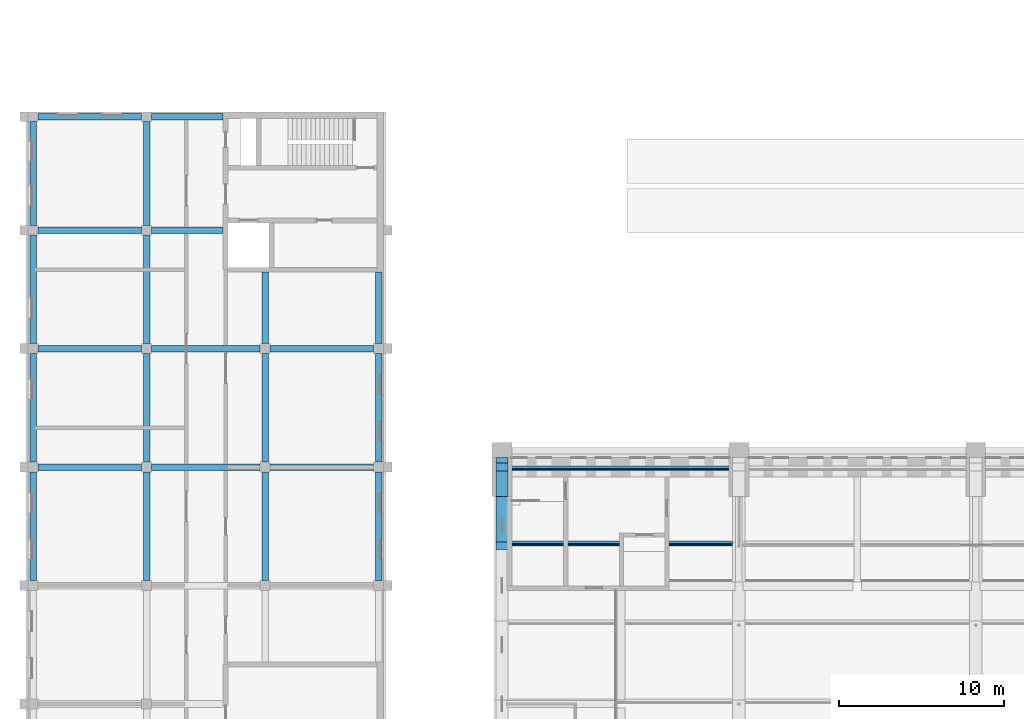
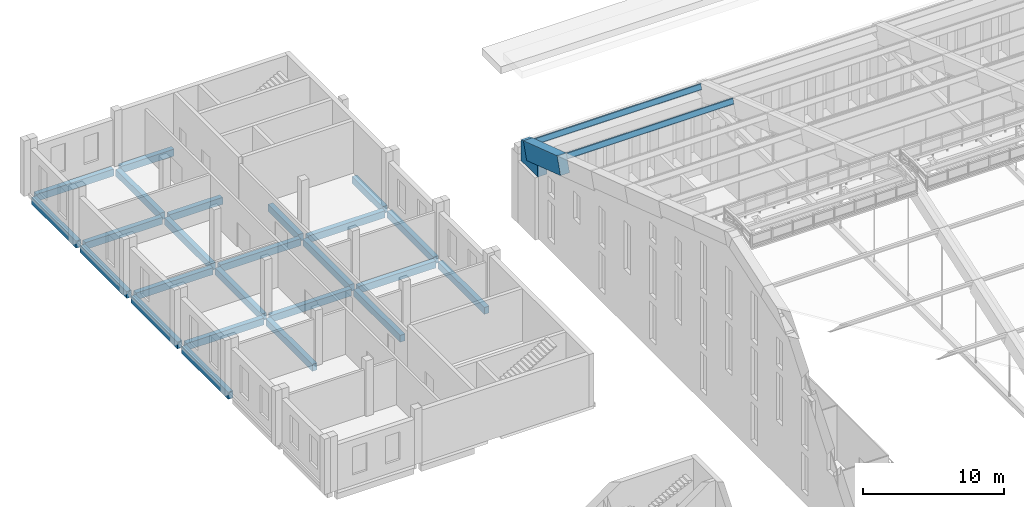
# One storey, part 47 of 149: 25 beams, 3 members.
"""IFC4 building model written with IfcOpenShell, lengths in metres."""

from ifc_helpers import new_model, si_unit, direction, frame, origin, origin_2d, place, context, subcontext, project, spatial, polyline, rectangle, i_section, outline, extrude, material, material_profile, profile_set, type_object, element, save


model = new_model("IFC4")

# Units and contexts
model_context = context("Model", 3, precision=1e-05, world=origin(), true_north=direction((0.0, 1.0)))
body_context = subcontext(model_context, "Body", "Model", "MODEL_VIEW")
ifc_project = project(units=[si_unit("LENGTHUNIT", "METRE"), si_unit("AREAUNIT", "SQUARE_METRE"), si_unit("VOLUMEUNIT", "CUBIC_METRE"), si_unit("PLANEANGLEUNIT", "RADIAN"), si_unit("MASSUNIT", "GRAM", prefix="KILO")], contexts=[model_context])

# Site, building, storey
site_placement = place(None, origin())
site = spatial("IfcSite", under=ifc_project, at=site_placement, CompositionType="ELEMENT")
building_placement = place(site_placement, origin())
building = spatial("IfcBuilding", under=site, at=building_placement, Name="Alderwick Market Hall", CompositionType="ELEMENT")
storey_placement = place(building_placement, frame((0.0, 0.0, 9.60009765625)))
storey = spatial("IfcBuildingStorey", under=building, at=storey_placement, Name="L01", CompositionType="ELEMENT", Elevation=9.60009765625)

# Beams
ifc_material_1 = material(Name="Concrete 5000 psi (f'c 35 MPa)", Category="concrete")
ifc_material_profile_1 = material_profile(ifc_material_1, rectangle(XDim=0.39990234375, YDim=0.60009765625, at=origin_2d()), Name="B RC Beam 400x600")
ifc_profile_set_1 = profile_set([ifc_material_profile_1], Name="Concrete 5000 psi (f'c 35 MPa)")
beam_type_1 = type_object("IfcBeamType", Name="B RC Beam 400x600", PredefinedType="BEAM", material=ifc_profile_set_1)
beam_1_placement = place(storey_placement, frame((22.199951171875, 129.300048828125, -0.550048828125), z_axis=(1.0, 0.0, 0.0), x_axis=(0.0, 1.0, 0.0)))
element("IfcBeam", 1, at=beam_1_placement, inside=storey, type_object=beam_type_1, Name="B.N.beam.L01.u003-0006", PredefinedType="BEAM", context=body_context, shape_type="SweptSolid", body=[
    extrude(rectangle(XDim=0.39990234375, YDim=0.60009765625, at=origin_2d()), origin(), (0.0, 0.0, 1.0), 6.300048828125),
])
beam_2_placement = place(storey_placement, frame((29.10009765625, 129.300048828125, -0.550048828125), z_axis=(1.0, 0.0, 0.0), x_axis=(0.0, 1.0, 0.0)))
element("IfcBeam", 2, at=beam_2_placement, inside=storey, type_object=beam_type_1, Name="B.N.beam.L01.u003-0075", PredefinedType="BEAM", context=body_context, shape_type="SweptSolid", body=[
    extrude(rectangle(XDim=0.39990234375, YDim=0.60009765625, at=origin_2d()), origin(), (0.0, 0.0, 1.0), 4.349853515625),
])
beam_3_placement = place(storey_placement, frame((22.199951171875, 122.39990234375, -0.550048828125), z_axis=(1.0, 0.0, 0.0), x_axis=(0.0, 1.0, 0.0)))
element("IfcBeam", 3, at=beam_3_placement, inside=storey, type_object=beam_type_1, Name="B.N.beam.L01.u072-0006", PredefinedType="BEAM", context=body_context, shape_type="SweptSolid", body=[
    extrude(rectangle(XDim=0.39990234375, YDim=0.60009765625, at=origin_2d()), origin(), (0.0, 0.0, 1.0), 6.300048828125),
])
beam_4_placement = place(storey_placement, frame((29.10009765625, 122.39990234375, -0.550048828125), z_axis=(1.0, 0.0, 0.0), x_axis=(0.0, 1.0, 0.0)))
element("IfcBeam", 4, at=beam_4_placement, inside=storey, type_object=beam_type_1, Name="B.N.beam.L01.u072-0075", PredefinedType="BEAM", context=body_context, shape_type="SweptSolid", body=[
    extrude(rectangle(XDim=0.39990234375, YDim=0.60009765625, at=origin_2d()), origin(), (0.0, 0.0, 1.0), 4.349853515625),
])
beam_5_placement = place(storey_placement, frame((22.199951171875, 115.199951171875, -0.550048828125), z_axis=(1.0, 0.0, 0.0), x_axis=(0.0, 1.0, 0.0)))
element("IfcBeam", 5, at=beam_5_placement, inside=storey, type_object=beam_type_1, Name="B.N.beam.L01.u144-0006", PredefinedType="BEAM", context=body_context, shape_type="SweptSolid", body=[
    extrude(rectangle(XDim=0.39990234375, YDim=0.60009765625, at=origin_2d()), origin(), (0.0, 0.0, 1.0), 6.300048828125),
])
beam_6_placement = place(storey_placement, frame((29.10009765625, 115.199951171875, -0.550048828125), z_axis=(1.0, 0.0, 0.0), x_axis=(0.0, 1.0, 0.0)))
element("IfcBeam", 6, at=beam_6_placement, inside=storey, type_object=beam_type_1, Name="B.N.beam.L01.u144-0075", PredefinedType="BEAM", context=body_context, shape_type="SweptSolid", body=[
    extrude(rectangle(XDim=0.39990234375, YDim=0.60009765625, at=origin_2d()), origin(), (0.0, 0.0, 1.0), 6.599853515625),
])
for number, where, z_axis, x_axis, name in (
    (7, (36.300048828125, 115.199951171875, -0.550048828125), (1.0, 0.0, 0.0), (0.0, 1.0, 0.0), "B.N.beam.L01.u144-0147"),
    (8, (22.199951171875, 108.0, -0.550048828125), (1.0, 0.0, 0.0), (0.0, 1.0, 0.0), "B.N.beam.L01.u216-0006"),
):
    element("IfcBeam", number, at=place(storey_placement, frame(where, z_axis=z_axis, x_axis=x_axis)), inside=storey, type_object=beam_type_1, Name=name, PredefinedType="BEAM", context=body_context, shape_type="SweptSolid", body=[
        extrude(rectangle(XDim=0.39990234375, YDim=0.60009765625, at=origin_2d()), origin(), (0.0, 0.0, 1.0), 6.300048828125),
    ])
beam_7_placement = place(storey_placement, frame((29.10009765625, 108.0, -0.550048828125), z_axis=(1.0, 0.0, 0.0), x_axis=(0.0, 1.0, 0.0)))
element("IfcBeam", 9, at=beam_7_placement, inside=storey, type_object=beam_type_1, Name="B.N.beam.L01.u216-0075", PredefinedType="BEAM", context=body_context, shape_type="SweptSolid", body=[
    extrude(rectangle(XDim=0.39990234375, YDim=0.60009765625, at=origin_2d()), origin(), (0.0, 0.0, 1.0), 6.599853515625),
])
for number, where, z_axis, x_axis, name in (
    (10, (36.300048828125, 108.0, -0.550048828125), (1.0, 0.0, 0.0), (0.0, 1.0, 0.0), "B.N.beam.L01.u216-0147"),
    (11, (21.89990234375, 129.0, -0.550048828125), (0.0, -1.0, 0.0), (1.0, 0.0, 0.0), "B.N.beam.L01.w003-0006"),
):
    element("IfcBeam", number, at=place(storey_placement, frame(where, z_axis=z_axis, x_axis=x_axis)), inside=storey, type_object=beam_type_1, Name=name, PredefinedType="BEAM", context=body_context, shape_type="SweptSolid", body=[
        extrude(rectangle(XDim=0.39990234375, YDim=0.60009765625, at=origin_2d()), origin(), (0.0, 0.0, 1.0), 6.300048828125),
    ])
beam_8_placement = place(storey_placement, frame((21.89990234375, 122.10009765625, -0.550048828125), z_axis=(0.0, -1.0, 0.0), x_axis=(1.0, 0.0, 0.0)))
element("IfcBeam", 12, at=beam_8_placement, inside=storey, type_object=beam_type_1, Name="B.N.beam.L01.w003-0075", PredefinedType="BEAM", context=body_context, shape_type="SweptSolid", body=[
    extrude(rectangle(XDim=0.39990234375, YDim=0.60009765625, at=origin_2d()), origin(), (0.0, 0.0, 1.0), 6.60009765625),
])
for number, where, z_axis, x_axis, name in (
    (13, (21.89990234375, 114.89990234375, -0.550048828125), (0.0, -1.0, 0.0), (1.0, 0.0, 0.0), "B.N.beam.L01.w003-0147"),
    (14, (21.89990234375, 107.699951171875, -0.550048828125), (0.0, -1.0, 0.0), (1.0, 0.0, 0.0), "B.N.beam.L01.w003-0219"),
):
    element("IfcBeam", number, at=place(storey_placement, frame(where, z_axis=z_axis, x_axis=x_axis)), inside=storey, type_object=beam_type_1, Name=name, PredefinedType="BEAM", context=body_context, shape_type="SweptSolid", body=[
        extrude(rectangle(XDim=0.39990234375, YDim=0.60009765625, at=origin_2d()), origin(), (0.0, 0.0, 1.0), 6.599853515625),
    ])
beam_9_placement = place(storey_placement, frame((28.800048828125, 129.0, -0.550048828125), z_axis=(0.0, -1.0, 0.0), x_axis=(1.0, 0.0, 0.0)))
element("IfcBeam", 15, at=beam_9_placement, inside=storey, type_object=beam_type_1, Name="B.N.beam.L01.w072-0006", PredefinedType="BEAM", context=body_context, shape_type="SweptSolid", body=[
    extrude(rectangle(XDim=0.39990234375, YDim=0.60009765625, at=origin_2d()), origin(), (0.0, 0.0, 1.0), 6.300048828125),
])
beam_10_placement = place(storey_placement, frame((28.800048828125, 122.10009765625, -0.550048828125), z_axis=(0.0, -1.0, 0.0), x_axis=(1.0, 0.0, 0.0)))
element("IfcBeam", 16, at=beam_10_placement, inside=storey, type_object=beam_type_1, Name="B.N.beam.L01.w072-0075", PredefinedType="BEAM", context=body_context, shape_type="SweptSolid", body=[
    extrude(rectangle(XDim=0.39990234375, YDim=0.60009765625, at=origin_2d()), origin(), (0.0, 0.0, 1.0), 6.60009765625),
])
for number, where, z_axis, x_axis, name in (
    (17, (28.800048828125, 114.89990234375, -0.550048828125), (0.0, -1.0, 0.0), (1.0, 0.0, 0.0), "B.N.beam.L01.w072-0147"),
    (18, (28.800048828125, 107.699951171875, -0.550048828125), (0.0, -1.0, 0.0), (1.0, 0.0, 0.0), "B.N.beam.L01.w072-0219"),
):
    element("IfcBeam", number, at=place(storey_placement, frame(where, z_axis=z_axis, x_axis=x_axis)), inside=storey, type_object=beam_type_1, Name=name, PredefinedType="BEAM", context=body_context, shape_type="SweptSolid", body=[
        extrude(rectangle(XDim=0.39990234375, YDim=0.60009765625, at=origin_2d()), origin(), (0.0, 0.0, 1.0), 6.599853515625),
    ])
beam_11_placement = place(storey_placement, frame((36.0, 119.85009765625, -0.550048828125), z_axis=(0.0, -1.0, 0.0), x_axis=(1.0, 0.0, 0.0)))
element("IfcBeam", 19, at=beam_11_placement, inside=storey, type_object=beam_type_1, Name="B.N.beam.L01.w144-0098", PredefinedType="BEAM", context=body_context, shape_type="SweptSolid", body=[
    extrude(rectangle(XDim=0.39990234375, YDim=0.60009765625, at=origin_2d()), origin(), (0.0, 0.0, 1.0), 4.35009765625),
])
for number, where, z_axis, x_axis, name in (
    (20, (36.0, 114.89990234375, -0.550048828125), (0.0, -1.0, 0.0), (1.0, 0.0, 0.0), "B.N.beam.L01.w144-0147"),
    (21, (36.0, 107.699951171875, -0.550048828125), (0.0, -1.0, 0.0), (1.0, 0.0, 0.0), "B.N.beam.L01.w144-0219"),
):
    element("IfcBeam", number, at=place(storey_placement, frame(where, z_axis=z_axis, x_axis=x_axis)), inside=storey, type_object=beam_type_1, Name=name, PredefinedType="BEAM", context=body_context, shape_type="SweptSolid", body=[
        extrude(rectangle(XDim=0.39990234375, YDim=0.60009765625, at=origin_2d()), origin(), (0.0, 0.0, 1.0), 6.599853515625),
    ])
beam_12_placement = place(storey_placement, frame((42.89990234375, 119.85009765625, -0.550048828125), z_axis=(0.0, -1.0, 0.0), x_axis=(1.0, 0.0, 0.0)))
element("IfcBeam", 22, at=beam_12_placement, inside=storey, type_object=beam_type_1, Name="B.N.beam.L01.w213-0098", PredefinedType="BEAM", context=body_context, shape_type="SweptSolid", body=[
    extrude(rectangle(XDim=0.39990234375, YDim=0.60009765625, at=origin_2d()), origin(), (0.0, 0.0, 1.0), 4.35009765625),
])
for number, where, z_axis, x_axis, name in (
    (23, (42.89990234375, 114.89990234375, -0.550048828125), (0.0, -1.0, 0.0), (1.0, 0.0, 0.0), "B.N.beam.L01.w213-0147"),
    (24, (42.89990234375, 107.699951171875, -0.550048828125), (0.0, -1.0, 0.0), (1.0, 0.0, 0.0), "B.N.beam.L01.w213-0219"),
):
    element("IfcBeam", number, at=place(storey_placement, frame(where, z_axis=z_axis, x_axis=x_axis)), inside=storey, type_object=beam_type_1, Name=name, PredefinedType="BEAM", context=body_context, shape_type="SweptSolid", body=[
        extrude(rectangle(XDim=0.39990234375, YDim=0.60009765625, at=origin_2d()), origin(), (0.0, 0.0, 1.0), 6.599853515625),
    ])
ifc_material_profile_2 = material_profile(ifc_material_1, rectangle(XDim=0.75, YDim=1.5, at=origin_2d()), Name="RC 750x1500")
ifc_profile_set_2 = profile_set([ifc_material_profile_2], Name="Concrete 5000 psi (f'c 35 MPa)")
beam_type_2 = type_object("IfcBeamType", Name="R Arch Rib Springing 750x1500", PredefinedType="BEAM", material=ifc_profile_set_2)
beam_13_placement = place(storey_placement, frame((50.39990234375, 103.199951171875, 8.199951171875), z_axis=(0.0, 0.948678472761, -0.316242241517), x_axis=(-1.0, 0.0, 0.0)))
element("IfcBeam", 25, at=beam_13_placement, inside=storey, type_object=beam_type_2, Name="Arch rib 1 chord 12", PredefinedType="BEAM", context=body_context, shape_type="SweptSolid", body=[
    extrude(rectangle(XDim=0.75, YDim=1.5, at=origin_2d()), origin(), (0.0, 0.0, 1.0), 5.059814453125),
])

# Members
ifc_material_2 = material(Name="Steel ASTM A992 Grade 50", Category="steel")
ifc_material_profile_3 = material_profile(ifc_material_2, i_section(OverallWidth=0.153076171875, OverallDepth=0.455078125, WebThickness=0.008056640625, FlangeThickness=0.01318359375, at=origin_2d()), Name="W18x40")
ifc_profile_set_3 = profile_set([ifc_material_profile_3], Name="Steel ASTM A992 Grade 50")
member_type_1 = type_object("IfcMemberType", Name="R Purlin W18x40", PredefinedType="PURLIN", material=ifc_profile_set_3)
for number, where, z_axis, x_axis, name in (
    (26, (50.77490234375, 103.36328125, 8.68994140625), (1.0, 0.0, 0.0), (0.0, 0.948683297073, -0.316227768949), "Roof purlin 12.1"),
    (27, (50.77490234375, 107.92626953125, 7.1689453125), (1.0, 0.0, 0.0), (0.0, 0.948683297073, -0.316227768949), "Roof purlin 13.1"),
):
    element("IfcMember", number, at=place(storey_placement, frame(where, z_axis=z_axis, x_axis=x_axis)), inside=storey, type_object=member_type_1, Name=name, PredefinedType="PURLIN", context=body_context, shape_type="SweptSolid", body=[
        extrude(i_section(OverallWidth=0.153076171875, OverallDepth=0.455078125, WebThickness=0.008056640625, FlangeThickness=0.01318359375, at=origin_2d()), origin(), (0.0, 0.0, 1.0), 13.650146484375),
    ])
ifc_material_profile_4 = material_profile(ifc_material_1, outline(polyline([(0.0, 0.0), (-2.39990234375, 0.0), (-2.39990234375, 1.009521484375), (-0.837158203125, 0.488525390625), (-0.36279296875, 1.91162109375), (0.0, 1.79052734375), (0.0, 0.0)])), Name="RC skewback N")
ifc_profile_set_4 = profile_set([ifc_material_profile_4], Name="Concrete 5000 psi (f'c 35 MPa)")
member_type_2 = type_object("IfcMemberType", Name="R Springing Skewback North", PredefinedType="MEMBER", material=ifc_profile_set_4)
member_placement = place(storey_placement, frame((50.02490234375, 108.60009765625, 5.39990234375), z_axis=(1.0, 0.0, 0.0), x_axis=(0.0, 1.0, 0.0)))
element("IfcMember", 28, at=member_placement, inside=storey, type_object=member_type_2, Name="Springing skewback N1", PredefinedType="MEMBER", context=body_context, shape_type="SweptSolid", body=[
    extrude(outline(polyline([(0.0, 0.0), (-2.39990234375, 0.0), (-2.39990234375, 1.009521484375), (-0.837158203125, 0.488525390625), (-0.36279296875, 1.91162109375), (0.0, 1.79052734375), (0.0, 0.0)])), origin(), (0.0, 0.0, 1.0), 0.75),
])

save(model, "model.ifc")
